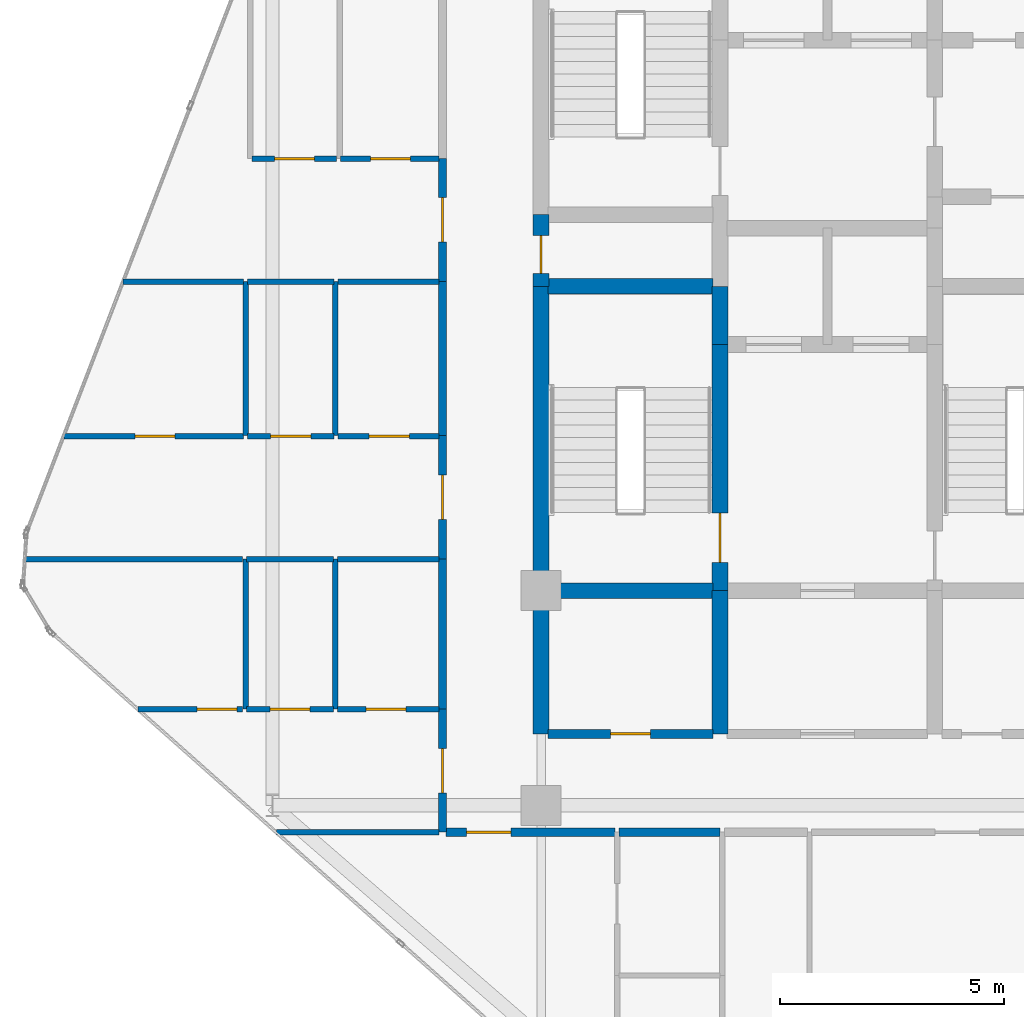
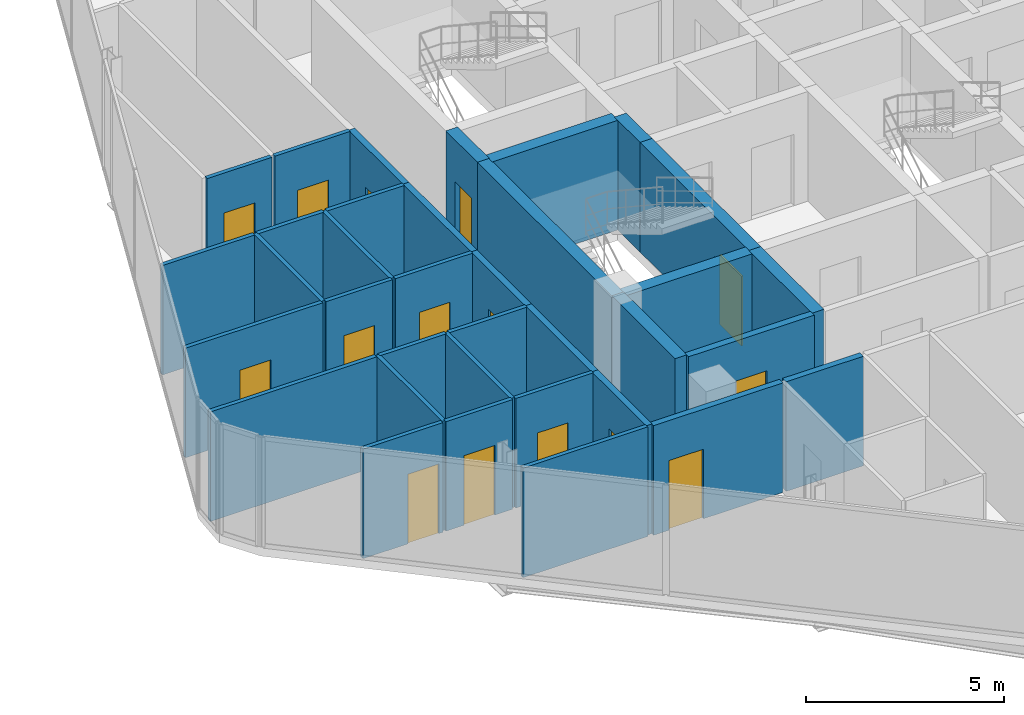
# One storey, part 25 of 31: 35 walls, 15 doors, 15 openings.
"""IFC4 building model written with IfcOpenShell, lengths in metres."""

import ifcopenshell
import ifcopenshell.guid

model = None  # the IFC model being written
_history = None  # IfcOwnerHistory: only IFC2X3 demands one
_inside = {}  # id of a spatial element -> (the spatial element, [elements in it])
_under = {}  # id of a project, library or spatial element -> (it, [spatial elements below it])
_declared = {}  # id of a project -> (the project, [libraries it declares])
_typed = {}  # id of a type object -> (the type object, [elements of that type])
_made_of = {}  # id of a material, layer set ... -> (it, [elements and type objects made of it])


def new_model(schema):
    """Start an empty IFC model of exactly this schema.

    Asked for "IFC4X3", IfcOpenShell would pick the latest addendum, in which some entities
    have other attributes; the version numbers below select the first issue.
    IFC2X3 requires an IfcOwnerHistory on every rooted entity: one is made here for all.
    """
    global model, _history
    if schema == "IFC4X3":
        model = ifcopenshell.file(schema_version=(4, 3, 0, 0))
    else:
        model = ifcopenshell.file(schema=schema)
    _inside.clear()
    _under.clear()
    _declared.clear()
    _typed.clear()
    _made_of.clear()
    _history = None
    if model.schema == "IFC2X3":
        org = make("IfcOrganization", Name="unknown")
        user = make(
            "IfcPersonAndOrganization",
            ThePerson=make("IfcPerson", FamilyName="unknown"),
            TheOrganization=org,
        )
        app = make(
            "IfcApplication",
            ApplicationDeveloper=org,
            Version="unknown",
            ApplicationFullName="unknown",
            ApplicationIdentifier="unknown",
        )
        _history = make(
            "IfcOwnerHistory",
            OwningUser=user,
            OwningApplication=app,
            ChangeAction="ADDED",
            CreationDate=0,
        )
    return model


def make(cls, **values):
    """One entity of the class cls with the attributes given. An attribute that is None is left unset."""
    return model.create_entity(
        cls, **{name: value for name, value in values.items() if value is not None}
    )


def rooted(cls, **values):
    """An entity with a GlobalId (a new one), such as an element, a storey or a relation."""
    return make(cls, GlobalId=ifcopenshell.guid.new(), OwnerHistory=_history, **values)


def si_unit(unit_type, name, prefix=None):
    """IfcSIUnit, for example si_unit("LENGTHUNIT", "METRE", prefix="MILLI")."""
    return make("IfcSIUnit", UnitType=unit_type, Prefix=prefix, Name=name)


def assignment(units):
    """IfcUnitAssignment: the units of a project."""
    return None if units is None else make("IfcUnitAssignment", Units=units)


def point(xyz):
    """IfcCartesianPoint."""
    return None if xyz is None else make("IfcCartesianPoint", Coordinates=xyz)


def direction(xyz):
    """IfcDirection."""
    return None if xyz is None else make("IfcDirection", DirectionRatios=xyz)


def frame(location, z_axis=None, x_axis=None):
    """IfcAxis2Placement3D, a coordinate frame: its origin and axes. An axis left out is left unset."""
    return make(
        "IfcAxis2Placement3D",
        Location=point(location),
        Axis=direction(z_axis),
        RefDirection=direction(x_axis),
    )


def frame_2d(location, x_axis=None):
    """IfcAxis2Placement2D, a coordinate frame in the plane: its origin and x axis."""
    return make(
        "IfcAxis2Placement2D", Location=point(location), RefDirection=direction(x_axis)
    )


def origin():
    """The frame at (0, 0, 0) with its axes left unset."""
    return frame((0.0, 0.0, 0.0))


def place(relative_to, where):
    """IfcLocalPlacement: puts the frame where relative to a parent placement (None: the world)."""
    return make(
        "IfcLocalPlacement", PlacementRelTo=relative_to, RelativePlacement=where
    )


def context(
    kind, dimensions, precision=None, world=None, true_north=None, identifier=None
):
    """IfcGeometricRepresentationContext, for example the 3D "Model" context."""
    return make(
        "IfcGeometricRepresentationContext",
        ContextIdentifier=identifier,
        ContextType=kind,
        CoordinateSpaceDimension=dimensions,
        Precision=precision,
        WorldCoordinateSystem=world,
        TrueNorth=true_north,
    )


def subcontext(parent, identifier, kind, view, scale=None):
    """IfcGeometricRepresentationSubContext, for example "Body" below "Model"."""
    return make(
        "IfcGeometricRepresentationSubContext",
        ContextIdentifier=identifier,
        ContextType=kind,
        ParentContext=parent,
        TargetScale=scale,
        TargetView=view,
    )


def project(units=None, contexts=None):
    """IfcProject with its units and contexts."""
    return rooted(
        "IfcProject",
        Name="project",
        RepresentationContexts=contexts,
        UnitsInContext=assignment(units),
    )


def spatial(cls, under=None, at=None, **own):
    """A site, building, storey or space (cls), placed at a placement, below another one or the project."""
    s = rooted(cls, ObjectPlacement=at, **own)
    if under is not None:
        _under.setdefault(under.id(), (under, []))[1].append(s)
    return s


def profile(cls, at=None, kind="AREA", **sizes):
    """A parametric profile (cls). Its sizes go by their IFC names, for example OverallWidth=200.0."""
    return make(cls, ProfileType=kind, Position=at, **sizes)


def rectangle(**sizes):
    """IfcRectangleProfileDef."""
    return profile("IfcRectangleProfileDef", **sizes)


def extrude(swept, where, along, depth):
    """IfcExtrudedAreaSolid: the profile swept, set in the frame where, extruded along a direction by depth."""
    return make(
        "IfcExtrudedAreaSolid",
        SweptArea=swept,
        Position=where,
        ExtrudedDirection=direction(along),
        Depth=depth,
    )


def shape(context_of_items, identifier, shape_type, items):
    """IfcShapeRepresentation: the items that make up one representation, for example the "Body"."""
    return make(
        "IfcShapeRepresentation",
        ContextOfItems=context_of_items,
        RepresentationIdentifier=identifier,
        RepresentationType=shape_type,
        Items=items,
    )


def material(Name=None, Category=None):
    """IfcMaterial."""
    return make("IfcMaterial", Name=Name, Category=Category)


def layer(
    of_material, thickness, ventilated=None, Name=None, Category=None, Priority=None
):
    """IfcMaterialLayer: one layer of a wall or slab, of a material (None: an air gap)."""
    return make(
        "IfcMaterialLayer",
        Material=of_material,
        LayerThickness=thickness,
        IsVentilated=ventilated,
        Name=Name,
        Category=Category,
        Priority=Priority,
    )


def layer_set(layers, Name=None):
    """IfcMaterialLayerSet."""
    return make("IfcMaterialLayerSet", MaterialLayers=layers, LayerSetName=Name)


def made_of(thing, what):
    """Note that an element or type object is made of a material, layer set ...; save() writes the relation."""
    if what is not None:
        _made_of.setdefault(what.id(), (what, []))[1].append(thing)
    return thing


def type_object(cls, material=None, **own):
    """A type object (cls), such as IfcWallType, which elements share."""
    return made_of(rooted(cls, **own), material)


def element(
    cls,
    number,
    at=None,
    inside=None,
    cuts=None,
    type_object=None,
    material=None,
    context=None,
    identifier="Body",
    shape_type=None,
    held_by="IfcProductDefinitionShape",
    body=None,
    shapes=None,
    **own,
):
    """One element of the class cls, such as IfcWall. Its Tag is "e" and its number.

    at: its placement. inside: the storey or other place that contains it. cuts: it is an
    opening in that element (IfcRelVoidsElement). A single representation is given by context,
    identifier, shape_type and body (its items); several are given by shapes. held_by: the class
    of the entity that holds the representations. save() writes the other relations.
    """
    e = rooted(cls, Tag="e%d" % number, ObjectPlacement=at, **own)
    if body is not None:
        shapes = [shape(context, identifier, shape_type, body)]
    if shapes is not None:
        e.Representation = make(held_by, Representations=shapes)
    if inside is not None:
        _inside.setdefault(inside.id(), (inside, []))[1].append(e)
    if cuts is not None:
        rooted(
            "IfcRelVoidsElement", RelatingBuildingElement=cuts, RelatedOpeningElement=e
        )
    if type_object is not None:
        _typed.setdefault(type_object.id(), (type_object, []))[1].append(e)
    return made_of(e, material)


def fill(opening, filler):
    """IfcRelFillsElement: the door or window that sits in an opening."""
    return rooted(
        "IfcRelFillsElement",
        RelatingOpeningElement=opening,
        RelatedBuildingElement=filler,
    )


def aggregate(whole, parts):
    """IfcRelAggregates: a whole, such as a stair, and the parts it consists of."""
    return rooted("IfcRelAggregates", RelatingObject=whole, RelatedObjects=parts)


def save(model, path):
    """Write the relations noted so far, then the file.

    IfcRelAggregates (storeys below a building ...), IfcRelContainedInSpatialStructure (elements
    in a storey), IfcRelDefinesByType, IfcRelAssociatesMaterial and IfcRelDeclares: one each for
    every whole, place, type object, material and project.
    """
    for whole, parts in _under.values():
        aggregate(whole, parts)
    for where, things in _inside.values():
        rooted(
            "IfcRelContainedInSpatialStructure",
            RelatedElements=things,
            RelatingStructure=where,
        )
    for kind, things in _typed.values():
        rooted("IfcRelDefinesByType", RelatedObjects=things, RelatingType=kind)
    for what, things in _made_of.values():
        rooted("IfcRelAssociatesMaterial", RelatedObjects=things, RelatingMaterial=what)
    for by, libraries in _declared.values():
        rooted("IfcRelDeclares", RelatingContext=by, RelatedDefinitions=libraries)
    model.write(path)


model = new_model("IFC4")

# Units and contexts
model_context = context("Model", 3, precision=1e-05, world=origin(), true_north=direction((0.0, 1.0)))
body_context = subcontext(model_context, "Body", "Model", "MODEL_VIEW")
ifc_project = project(units=[si_unit("LENGTHUNIT", "METRE"), si_unit("AREAUNIT", "SQUARE_METRE"), si_unit("VOLUMEUNIT", "CUBIC_METRE"), si_unit("PLANEANGLEUNIT", "RADIAN"), si_unit("MASSUNIT", "GRAM", prefix="KILO")], contexts=[model_context])

# Site, building, storey
site_placement = place(None, origin())
site = spatial("IfcSite", under=ifc_project, at=site_placement, CompositionType="ELEMENT")
building_placement = place(site_placement, origin())
building = spatial("IfcBuilding", under=site, at=building_placement, Name="Keshet Zoharim Tower", CompositionType="ELEMENT")
storey_placement = place(building_placement, frame((0.0, 0.0, 129.800048828125)))
storey = spatial("IfcBuildingStorey", under=building, at=storey_placement, Name="L31", CompositionType="ELEMENT", Elevation=129.800048828125)

# Walls
ifc_material_1 = material(Name="Concrete C60/75", Category="concrete")
ifc_layer_1 = layer(ifc_material_1, 0.35009765625)
ifc_layer_set_1 = layer_set([ifc_layer_1], Name="Concrete C60/75")
wall_type_1 = type_object("IfcWallType", Name="WL-CORE-350", PredefinedType="SHEAR", material=ifc_layer_set_1)
wall_1_placement = place(storey_placement, frame((15.0, 19.5, 0.0), z_axis=(0.0, 0.0, 1.0), x_axis=(0.0, 1.0, 0.0)))
element("IfcWall", 1, at=wall_1_placement, inside=storey, type_object=wall_type_1, Name="L31 Core Shear Wall 015", PredefinedType="SHEAR", context=body_context, shape_type="SweptSolid", body=[
    extrude(rectangle(XDim=3.199951171875, YDim=0.35009765625, at=frame_2d((1.60009765625, 0.0))), origin(), (0.0, 0.0, 1.0), 3.385009765625),
])
wall_2_placement = place(storey_placement, frame((15.0, 22.699951171875, 0.0), z_axis=(0.0, 0.0, 1.0), x_axis=(0.0, 1.0, 0.0)))
element("IfcWall", 2, at=wall_2_placement, inside=storey, type_object=wall_type_1, Name="L31 Core Shear Wall 016", PredefinedType="SHEAR", context=body_context, shape_type="SweptSolid", body=[
    extrude(rectangle(XDim=6.800048828125, YDim=0.35009765625, at=frame_2d((3.39990234375, 0.0))), origin(), (0.0, 0.0, 1.0), 3.385009765625),
])

# Wall, opening, door
wall_3_placement = place(storey_placement, frame((15.0, 29.5, 0.0), z_axis=(0.0, 0.0, 1.0), x_axis=(0.0, 1.0, 0.0)))
wall_3 = element("IfcWall", 3, at=wall_3_placement, inside=storey, type_object=wall_type_1, Name="L31 Core Shear Wall 017", PredefinedType="SHEAR", context=body_context, shape_type="SweptSolid", body=[
    extrude(rectangle(XDim=1.60009765625, YDim=0.35009765625, at=frame_2d((0.800048828125, 0.0))), origin(), (0.0, 0.0, 1.0), 3.385009765625),
])
opening_1_placement = place(wall_3_placement, frame((0.287109375, 0.0, 0.0)))
opening_1 = element("IfcOpeningElement", 4, at=opening_1_placement, cuts=wall_3, Name="Opening D-RS85", PredefinedType="OPENING", context=body_context, shape_type="SweptSolid", body=[
    extrude(rectangle(XDim=0.85009765625, YDim=2.10009765625, at=frame_2d((0.425048828125, 1.050048828125))), frame((0.0, 0.18505859375, 0.0), z_axis=(0.0, -1.0, 0.0), x_axis=(1.0, 0.0, 0.0)), (0.0, 0.0, 1.0), 0.3701171875),
])
ifc_material_2 = material(Name="Hardwood Timber", Category="wood")
door_type_1 = type_object("IfcDoorType", Name="DR-RIS-085", OperationType="NOTDEFINED", PredefinedType="DOOR", material=ifc_material_2)
door_1_placement = place(opening_1_placement, origin())
door_1 = element("IfcDoor", 5, at=door_1_placement, inside=storey, type_object=door_type_1, Name="L31 Electrical Riser Access Cupboard Door", OperationType="SINGLE_SWING_RIGHT", OverallHeight=2.10009765625, OverallWidth=0.85009765625, PredefinedType="DOOR", context=body_context, shape_type="SweptSolid", body=[
    extrude(rectangle(XDim=0.85009765625, YDim=2.10009765625, at=frame_2d((0.425048828125, 1.050048828125))), frame((0.0, 0.02490234375, 0.0), z_axis=(0.0, -1.0, 0.0), x_axis=(1.0, 0.0, 0.0)), (0.0, 0.0, 1.0), 0.050048828125),
])
fill(opening_1, door_1)

# Wall
wall_4_placement = place(storey_placement, frame((19.0, 19.5, 0.0), z_axis=(0.0, 0.0, 1.0), x_axis=(0.0, 1.0, 0.0)))
element("IfcWall", 6, at=wall_4_placement, inside=storey, type_object=wall_type_1, Name="L31 Core Shear Wall 023", PredefinedType="SHEAR", context=body_context, shape_type="SweptSolid", body=[
    extrude(rectangle(XDim=3.199951171875, YDim=0.35009765625, at=frame_2d((1.60009765625, 0.0))), origin(), (0.0, 0.0, 1.0), 3.385009765625),
])

# Wall, opening, door
wall_5_placement = place(storey_placement, frame((19.0, 22.699951171875, 0.0), z_axis=(0.0, 0.0, 1.0), x_axis=(0.0, 1.0, 0.0)))
wall_5 = element("IfcWall", 7, at=wall_5_placement, inside=storey, type_object=wall_type_1, Name="L31 Core Shear Wall 024", PredefinedType="SHEAR", context=body_context, shape_type="SweptSolid", body=[
    extrude(rectangle(XDim=5.5, YDim=0.35009765625, at=frame_2d((2.75, 0.0))), origin(), (0.0, 0.0, 1.0), 3.385009765625),
])
opening_2_placement = place(wall_5_placement, frame((0.631103515625, 0.0, 0.0)))
opening_2 = element("IfcOpeningElement", 8, at=opening_2_placement, cuts=wall_5, Name="Opening D-F611", PredefinedType="OPENING", context=body_context, shape_type="SweptSolid", body=[
    extrude(rectangle(XDim=1.10009765625, YDim=2.14990234375, at=frame_2d((0.550048828125, 1.074951171875))), frame((0.0, 0.18505859375, 0.0), z_axis=(0.0, -1.0, 0.0), x_axis=(1.0, 0.0, 0.0)), (0.0, 0.0, 1.0), 0.3701171875),
])
door_type_2 = type_object("IfcDoorType", Name="DR-FD60-110", OperationType="NOTDEFINED", PredefinedType="DOOR", material=ifc_material_2)
door_2_placement = place(opening_2_placement, origin())
door_2 = element("IfcDoor", 9, at=door_2_placement, inside=storey, type_object=door_type_2, Name="L31 Exit Stair ST-01 Fire Door", OperationType="SINGLE_SWING_RIGHT", OverallHeight=2.14990234375, OverallWidth=1.10009765625, PredefinedType="DOOR", context=body_context, shape_type="SweptSolid", body=[
    extrude(rectangle(XDim=1.10009765625, YDim=2.14990234375, at=frame_2d((0.550048828125, 1.074951171875))), frame((0.0, 0.02490234375, 0.0), z_axis=(0.0, -1.0, 0.0), x_axis=(1.0, 0.0, 0.0)), (0.0, 0.0, 1.0), 0.050048828125),
])
fill(opening_2, door_2)

# Walls
wall_6_placement = place(storey_placement, frame((19.0, 28.199951171875, 0.0), z_axis=(0.0, 0.0, 1.0), x_axis=(0.0, 1.0, 0.0)))
element("IfcWall", 10, at=wall_6_placement, inside=storey, type_object=wall_type_1, Name="L31 Core Shear Wall 025", PredefinedType="SHEAR", context=body_context, shape_type="SweptSolid", body=[
    extrude(rectangle(XDim=1.300048828125, YDim=0.35009765625, at=frame_2d((0.64990234375, 0.0))), origin(), (0.0, 0.0, 1.0), 3.385009765625),
])
for number, where, z_axis, x_axis, name in (
    (11, (15.159912109375, 22.699951171875, 0.0), (0.0, 0.0, 1.0), (1.0, 0.0, 0.0), "L31 Core Shear Wall 142"),
    (12, (15.159912109375, 29.5, 0.0), (0.0, 0.0, 1.0), (1.0, 0.0, 0.0), "L31 Core Shear Wall 160"),
):
    element("IfcWall", number, at=place(storey_placement, frame(where, z_axis=z_axis, x_axis=x_axis)), inside=storey, type_object=wall_type_1, Name=name, PredefinedType="SHEAR", context=body_context, shape_type="SweptSolid", body=[
        extrude(rectangle(XDim=3.68017578125, YDim=0.35009765625, at=frame_2d((1.840087890625, 0.0))), origin(), (0.0, 0.0, 1.0), 3.385009765625),
    ])

# Wall, opening, door
ifc_material_3 = material(Name="Gypsum Plasterboard", Category="gypsum")
ifc_layer_2 = layer(ifc_material_3, 0.179931640625)
ifc_layer_set_2 = layer_set([ifc_layer_2], Name="Gypsum Plasterboard")
wall_type_2 = type_object("IfcWallType", Name="WL-CORR-180", PredefinedType="STANDARD", material=ifc_layer_set_2)
wall_7_placement = place(storey_placement, frame((12.800048828125, 17.300048828125, 0.0), z_axis=(0.0, 0.0, 1.0), x_axis=(0.0, 1.0, 0.0)))
wall_7 = element("IfcWall", 13, at=wall_7_placement, inside=storey, type_object=wall_type_2, Name="L31 Interior Wall 007", PredefinedType="STANDARD", context=body_context, shape_type="SweptSolid", body=[
    extrude(rectangle(XDim=2.75, YDim=0.179931640625, at=frame_2d((1.375, 0.0))), origin(), (0.0, 0.0, 1.0), 3.385009765625),
])
opening_3_placement = place(wall_7_placement, frame((0.875, 0.0, 0.0)))
opening_3 = element("IfcOpeningElement", 14, at=opening_3_placement, cuts=wall_7, Name="Opening D-F310", PredefinedType="OPENING", context=body_context, shape_type="SweptSolid", body=[
    extrude(rectangle(XDim=1.0, YDim=2.14990234375, at=frame_2d((0.5, 1.074951171875))), frame((0.0, 0.10009765625, 0.0), z_axis=(0.0, -1.0, 0.0), x_axis=(1.0, 0.0, 0.0)), (0.0, 0.0, 1.0), 0.199951171875),
])
door_type_3 = type_object("IfcDoorType", Name="DR-FD30-100", OperationType="NOTDEFINED", PredefinedType="DOOR", material=ifc_material_2)
door_3_placement = place(opening_3_placement, origin())
door_3 = element("IfcDoor", 15, at=door_3_placement, inside=storey, type_object=door_type_3, Name="Apartment 3108 Entrance Door", OperationType="SINGLE_SWING_LEFT", OverallHeight=2.14990234375, OverallWidth=1.0, PredefinedType="DOOR", context=body_context, shape_type="SweptSolid", body=[
    extrude(rectangle(XDim=1.0, YDim=2.14990234375, at=frame_2d((0.5, 1.074951171875))), frame((0.0, 0.02490234375, 0.0), z_axis=(0.0, -1.0, 0.0), x_axis=(1.0, 0.0, 0.0)), (0.0, 0.0, 1.0), 0.050048828125),
])
fill(opening_3, door_3)

# Wall
wall_8_placement = place(storey_placement, frame((12.800048828125, 20.050048828125, 0.0), z_axis=(0.0, 0.0, 1.0), x_axis=(0.0, 1.0, 0.0)))
element("IfcWall", 16, at=wall_8_placement, inside=storey, type_object=wall_type_2, Name="L31 Interior Wall 008", PredefinedType="STANDARD", context=body_context, shape_type="SweptSolid", body=[
    extrude(rectangle(XDim=3.35986328125, YDim=0.179931640625, at=frame_2d((1.679931640625, 0.0))), origin(), (0.0, 0.0, 1.0), 3.385009765625),
])

# Wall, opening, door
wall_9_placement = place(storey_placement, frame((12.800048828125, 23.409912109375, 0.0), z_axis=(0.0, 0.0, 1.0), x_axis=(0.0, 1.0, 0.0)))
wall_9 = element("IfcWall", 17, at=wall_9_placement, inside=storey, type_object=wall_type_2, Name="L31 Interior Wall 009", PredefinedType="STANDARD", context=body_context, shape_type="SweptSolid", body=[
    extrude(rectangle(XDim=2.75, YDim=0.179931640625, at=frame_2d((1.375, 0.0))), origin(), (0.0, 0.0, 1.0), 3.385009765625),
])
opening_4_placement = place(wall_9_placement, frame((0.875, 0.0, 0.0)))
opening_4 = element("IfcOpeningElement", 18, at=opening_4_placement, cuts=wall_9, Name="Opening D-F310", PredefinedType="OPENING", context=body_context, shape_type="SweptSolid", body=[
    extrude(rectangle(XDim=1.0, YDim=2.14990234375, at=frame_2d((0.5, 1.074951171875))), frame((0.0, 0.10009765625, 0.0), z_axis=(0.0, -1.0, 0.0), x_axis=(1.0, 0.0, 0.0)), (0.0, 0.0, 1.0), 0.199951171875),
])
door_4_placement = place(opening_4_placement, origin())
door_4 = element("IfcDoor", 19, at=door_4_placement, inside=storey, type_object=door_type_3, Name="Apartment 3109 Entrance Door", OperationType="SINGLE_SWING_RIGHT", OverallHeight=2.14990234375, OverallWidth=1.0, PredefinedType="DOOR", context=body_context, shape_type="SweptSolid", body=[
    extrude(rectangle(XDim=1.0, YDim=2.14990234375, at=frame_2d((0.5, 1.074951171875))), frame((0.0, 0.02490234375, 0.0), z_axis=(0.0, -1.0, 0.0), x_axis=(1.0, 0.0, 0.0)), (0.0, 0.0, 1.0), 0.050048828125),
])
fill(opening_4, door_4)

# Wall
wall_10_placement = place(storey_placement, frame((12.800048828125, 26.159912109375, 0.0), z_axis=(0.0, 0.0, 1.0), x_axis=(0.0, 1.0, 0.0)))
element("IfcWall", 20, at=wall_10_placement, inside=storey, type_object=wall_type_2, Name="L31 Interior Wall 010", PredefinedType="STANDARD", context=body_context, shape_type="SweptSolid", body=[
    extrude(rectangle(XDim=3.4501953125, YDim=0.179931640625, at=frame_2d((1.72509765625, 0.0))), origin(), (0.0, 0.0, 1.0), 3.385009765625),
])

# Wall, opening, door
wall_11_placement = place(storey_placement, frame((12.800048828125, 29.610107421875, 0.0), z_axis=(0.0, 0.0, 1.0), x_axis=(0.0, 1.0, 0.0)))
wall_11 = element("IfcWall", 21, at=wall_11_placement, inside=storey, type_object=wall_type_2, Name="L31 Interior Wall 011", PredefinedType="STANDARD", context=body_context, shape_type="SweptSolid", body=[
    extrude(rectangle(XDim=2.75, YDim=0.179931640625, at=frame_2d((1.375, 0.0))), origin(), (0.0, 0.0, 1.0), 3.385009765625),
])
opening_5_placement = place(wall_11_placement, frame((0.875, 0.0, 0.0)))
opening_5 = element("IfcOpeningElement", 22, at=opening_5_placement, cuts=wall_11, Name="Opening D-F310", PredefinedType="OPENING", context=body_context, shape_type="SweptSolid", body=[
    extrude(rectangle(XDim=1.0, YDim=2.14990234375, at=frame_2d((0.5, 1.074951171875))), frame((0.0, 0.10009765625, 0.0), z_axis=(0.0, -1.0, 0.0), x_axis=(1.0, 0.0, 0.0)), (0.0, 0.0, 1.0), 0.199951171875),
])
door_5_placement = place(opening_5_placement, origin())
door_5 = element("IfcDoor", 23, at=door_5_placement, inside=storey, type_object=door_type_3, Name="Apartment 3110 Entrance Door", OperationType="SINGLE_SWING_LEFT", OverallHeight=2.14990234375, OverallWidth=1.0, PredefinedType="DOOR", context=body_context, shape_type="SweptSolid", body=[
    extrude(rectangle(XDim=1.0, YDim=2.14990234375, at=frame_2d((0.5, 1.074951171875))), frame((0.0, 0.02490234375, 0.0), z_axis=(0.0, -1.0, 0.0), x_axis=(1.0, 0.0, 0.0)), (0.0, 0.0, 1.0), 0.050048828125),
])
fill(opening_5, door_5)

wall_12_placement = place(storey_placement, frame((12.875, 17.300048828125, 0.0), z_axis=(0.0, 0.0, 1.0), x_axis=(1.0, 0.0, 0.0)))
wall_12 = element("IfcWall", 24, at=wall_12_placement, inside=storey, type_object=wall_type_2, Name="L31 Interior Wall 122", PredefinedType="STANDARD", context=body_context, shape_type="SweptSolid", body=[
    extrude(rectangle(XDim=3.780029296875, YDim=0.179931640625, at=frame_2d((1.89013671875, 0.0))), origin(), (0.0, 0.0, 1.0), 3.385009765625),
])
opening_6_placement = place(wall_12_placement, frame((0.4580078125, 0.0, 0.0)))
opening_6 = element("IfcOpeningElement", 25, at=opening_6_placement, cuts=wall_12, Name="Opening D-F310", PredefinedType="OPENING", context=body_context, shape_type="SweptSolid", body=[
    extrude(rectangle(XDim=1.0, YDim=2.14990234375, at=frame_2d((0.5, 1.074951171875))), frame((0.0, 0.10009765625, 0.0), z_axis=(0.0, -1.0, 0.0), x_axis=(1.0, 0.0, 0.0)), (0.0, 0.0, 1.0), 0.199951171875),
])
door_6_placement = place(opening_6_placement, origin())
door_6 = element("IfcDoor", 26, at=door_6_placement, inside=storey, type_object=door_type_3, Name="Apartment 3101 Entrance Door", OperationType="SINGLE_SWING_LEFT", OverallHeight=2.14990234375, OverallWidth=1.0, PredefinedType="DOOR", context=body_context, shape_type="SweptSolid", body=[
    extrude(rectangle(XDim=1.0, YDim=2.14990234375, at=frame_2d((0.5, 1.074951171875))), frame((0.0, 0.02490234375, 0.0), z_axis=(0.0, -1.0, 0.0), x_axis=(1.0, 0.0, 0.0)), (0.0, 0.0, 1.0), 0.050048828125),
])
fill(opening_6, door_6)

# Wall
wall_13_placement = place(storey_placement, frame((16.7451171875, 17.300048828125, 0.0), z_axis=(0.0, 0.0, 1.0), x_axis=(1.0, 0.0, 0.0)))
element("IfcWall", 27, at=wall_13_placement, inside=storey, type_object=wall_type_2, Name="L31 Interior Wall 123", PredefinedType="STANDARD", context=body_context, shape_type="SweptSolid", body=[
    extrude(rectangle(XDim=2.259765625, YDim=0.179931640625, at=frame_2d((1.1298828125, 0.0))), origin(), (0.0, 0.0, 1.0), 3.385009765625),
])

# Wall, opening, door
ifc_material_4 = material(Name="Concrete C50/60", Category="concrete")
ifc_layer_3 = layer(ifc_material_4, 0.199951171875)
ifc_layer_set_3 = layer_set([ifc_layer_3], Name="Concrete C50/60")
wall_type_3 = type_object("IfcWallType", Name="WL-FIRE-200", PredefinedType="STANDARD", material=ifc_layer_set_3)
wall_14_placement = place(storey_placement, frame((15.159912109375, 19.5, 0.0), z_axis=(0.0, 0.0, 1.0), x_axis=(1.0, 0.0, 0.0)))
wall_14 = element("IfcWall", 28, at=wall_14_placement, inside=storey, type_object=wall_type_3, Name="L31 Interior Wall 134", PredefinedType="STANDARD", context=body_context, shape_type="SweptSolid", body=[
    extrude(rectangle(XDim=3.68017578125, YDim=0.199951171875, at=frame_2d((1.840087890625, 0.0))), origin(), (0.0, 0.0, 1.0), 3.385009765625),
])
opening_7_placement = place(wall_14_placement, frame((1.389892578125, 0.0, 0.0)))
opening_7 = element("IfcOpeningElement", 29, at=opening_7_placement, cuts=wall_14, Name="Opening D-F690", PredefinedType="OPENING", context=body_context, shape_type="SweptSolid", body=[
    extrude(rectangle(XDim=0.89990234375, YDim=2.14990234375, at=frame_2d((0.449951171875, 1.074951171875))), frame((0.0, 0.10986328125, 0.0), z_axis=(0.0, -1.0, 0.0), x_axis=(1.0, 0.0, 0.0)), (0.0, 0.0, 1.0), 0.219970703125),
])
door_type_4 = type_object("IfcDoorType", Name="DR-FD60-090", OperationType="NOTDEFINED", PredefinedType="DOOR", material=ifc_material_2)
door_7_placement = place(opening_7_placement, origin())
door_7 = element("IfcDoor", 30, at=door_7_placement, inside=storey, type_object=door_type_4, Name="L31 Refuse Room Door", OperationType="SINGLE_SWING_RIGHT", OverallHeight=2.14990234375, OverallWidth=0.89990234375, PredefinedType="DOOR", context=body_context, shape_type="SweptSolid", body=[
    extrude(rectangle(XDim=0.89990234375, YDim=2.14990234375, at=frame_2d((0.449951171875, 1.074951171875))), frame((0.0, 0.02490234375, 0.0), z_axis=(0.0, -1.0, 0.0), x_axis=(1.0, 0.0, 0.0)), (0.0, 0.0, 1.0), 0.050048828125),
])
fill(opening_7, door_7)

# Walls
ifc_layer_4 = layer(ifc_material_3, 0.1201171875)
ifc_layer_set_4 = layer_set([ifc_layer_4], Name="Gypsum Plasterboard")
wall_type_4 = type_object("IfcWallType", Name="WL-PART-120", PredefinedType="PARTITIONING", material=ifc_layer_set_4)
wall_15_placement = place(storey_placement, frame((8.39990234375, 20.050048828125, 0.0), z_axis=(0.0, 0.0, 1.0), x_axis=(0.0, 1.0, 0.0)))
element("IfcWall", 31, at=wall_15_placement, inside=storey, type_object=wall_type_4, Name="L31 Interior Wall 001", PredefinedType="PARTITIONING", context=body_context, shape_type="SweptSolid", body=[
    extrude(rectangle(XDim=3.35986328125, YDim=0.1201171875, at=frame_2d((1.679931640625, 0.0))), origin(), (0.0, 0.0, 1.0), 3.385009765625),
])
wall_16_placement = place(storey_placement, frame((8.39990234375, 26.159912109375, 0.0), z_axis=(0.0, 0.0, 1.0), x_axis=(0.0, 1.0, 0.0)))
element("IfcWall", 32, at=wall_16_placement, inside=storey, type_object=wall_type_4, Name="L31 Interior Wall 002", PredefinedType="PARTITIONING", context=body_context, shape_type="SweptSolid", body=[
    extrude(rectangle(XDim=3.4501953125, YDim=0.1201171875, at=frame_2d((1.72509765625, 0.0))), origin(), (0.0, 0.0, 1.0), 3.385009765625),
])
wall_17_placement = place(storey_placement, frame((9.0849609375, 17.300048828125, 0.0), z_axis=(0.0, 0.0, 1.0), x_axis=(1.0, 0.0, 0.0)))
element("IfcWall", 33, at=wall_17_placement, inside=storey, type_object=wall_type_4, Name="L31 Interior Wall 121", PredefinedType="PARTITIONING", context=body_context, shape_type="SweptSolid", body=[
    extrude(rectangle(XDim=3.64013671875, YDim=0.1201171875, at=frame_2d((1.820068359375, 0.0))), origin(), (0.0, 0.0, 1.0), 3.385009765625),
])

# Wall, opening, door
wall_18_placement = place(storey_placement, frame((5.990966796875, 20.050048828125, 0.0), z_axis=(0.0, 0.0, 1.0), x_axis=(1.0, 0.0, 0.0)))
wall_18 = element("IfcWall", 34, at=wall_18_placement, inside=storey, type_object=wall_type_4, Name="L31 Interior Wall 139", PredefinedType="PARTITIONING", context=body_context, shape_type="SweptSolid", body=[
    extrude(rectangle(XDim=2.340087890625, YDim=0.1201171875, at=frame_2d((1.169921875, 0.0))), origin(), (0.0, 0.0, 1.0), 3.385009765625),
])
opening_8_placement = place(wall_18_placement, frame((1.320068359375, 0.0, 0.0)))
opening_8 = element("IfcOpeningElement", 35, at=opening_8_placement, cuts=wall_18, Name="Opening D-IN90", PredefinedType="OPENING", context=body_context, shape_type="SweptSolid", body=[
    extrude(rectangle(XDim=0.89990234375, YDim=2.14990234375, at=frame_2d((0.449951171875, 1.074951171875))), frame((0.0, 0.070068359375, 0.0), z_axis=(0.0, -1.0, 0.0), x_axis=(1.0, 0.0, 0.0)), (0.0, 0.0, 1.0), 0.14013671875),
])
door_type_5 = type_object("IfcDoorType", Name="DR-INT-090", OperationType="NOTDEFINED", PredefinedType="DOOR", material=ifc_material_2)
door_8_placement = place(opening_8_placement, origin())
door_8 = element("IfcDoor", 36, at=door_8_placement, inside=storey, type_object=door_type_5, Name="Apartment 3108 Bedroom 1 Door", OperationType="SINGLE_SWING_LEFT", OverallHeight=2.14990234375, OverallWidth=0.89990234375, PredefinedType="DOOR", context=body_context, shape_type="SweptSolid", body=[
    extrude(rectangle(XDim=0.89990234375, YDim=2.14990234375, at=frame_2d((0.449951171875, 1.074951171875))), frame((0.0, 0.02490234375, 0.0), z_axis=(0.0, -1.0, 0.0), x_axis=(1.0, 0.0, 0.0)), (0.0, 0.0, 1.0), 0.050048828125),
])
fill(opening_8, door_8)

wall_19_placement = place(storey_placement, frame((8.4208984375, 20.050048828125, 0.0), z_axis=(0.0, 0.0, 1.0), x_axis=(1.0, 0.0, 0.0)))
wall_19 = element("IfcWall", 37, at=wall_19_placement, inside=storey, type_object=wall_type_4, Name="L31 Interior Wall 140", PredefinedType="PARTITIONING", context=body_context, shape_type="SweptSolid", body=[
    extrude(rectangle(XDim=1.945068359375, YDim=0.1201171875, at=frame_2d((0.97265625, 0.0))), origin(), (0.0, 0.0, 1.0), 3.385009765625),
])
opening_9_placement = place(wall_19_placement, frame((0.52197265625, 0.0, 0.0)))
opening_9 = element("IfcOpeningElement", 38, at=opening_9_placement, cuts=wall_19, Name="Opening D-IN90", PredefinedType="OPENING", context=body_context, shape_type="SweptSolid", body=[
    extrude(rectangle(XDim=0.89990234375, YDim=2.14990234375, at=frame_2d((0.449951171875, 1.074951171875))), frame((0.0, 0.070068359375, 0.0), z_axis=(0.0, -1.0, 0.0), x_axis=(1.0, 0.0, 0.0)), (0.0, 0.0, 1.0), 0.14013671875),
])
door_9_placement = place(opening_9_placement, origin())
door_9 = element("IfcDoor", 39, at=door_9_placement, inside=storey, type_object=door_type_5, Name="Apartment 3108 Kitchen Door", OperationType="SINGLE_SWING_RIGHT", OverallHeight=2.14990234375, OverallWidth=0.89990234375, PredefinedType="DOOR", context=body_context, shape_type="SweptSolid", body=[
    extrude(rectangle(XDim=0.89990234375, YDim=2.14990234375, at=frame_2d((0.449951171875, 1.074951171875))), frame((0.0, 0.02490234375, 0.0), z_axis=(0.0, -1.0, 0.0), x_axis=(1.0, 0.0, 0.0)), (0.0, 0.0, 1.0), 0.050048828125),
])
fill(opening_9, door_9)

# Walls
wall_20_placement = place(storey_placement, frame((3.468994140625, 23.39990234375, 0.0), z_axis=(0.0, 0.0, 1.0), x_axis=(1.0, 0.0, 0.0)))
element("IfcWall", 40, at=wall_20_placement, inside=storey, type_object=wall_type_4, Name="L31 Interior Wall 147", PredefinedType="PARTITIONING", context=body_context, shape_type="SweptSolid", body=[
    extrude(rectangle(XDim=4.862060546875, YDim=0.1201171875, at=frame_2d((2.43115234375, 0.0))), origin(), (0.0, 0.0, 1.0), 3.385009765625),
])
wall_21_placement = place(storey_placement, frame((8.4208984375, 23.39990234375, 0.0), z_axis=(0.0, 0.0, 1.0), x_axis=(1.0, 0.0, 0.0)))
element("IfcWall", 41, at=wall_21_placement, inside=storey, type_object=wall_type_4, Name="L31 Interior Wall 148", PredefinedType="PARTITIONING", context=body_context, shape_type="SweptSolid", body=[
    extrude(rectangle(XDim=1.945068359375, YDim=0.1201171875, at=frame_2d((0.97265625, 0.0))), origin(), (0.0, 0.0, 1.0), 3.385009765625),
])

# Wall, opening, door
wall_22_placement = place(storey_placement, frame((4.3369140625, 26.14990234375, 0.0), z_axis=(0.0, 0.0, 1.0), x_axis=(1.0, 0.0, 0.0)))
wall_22 = element("IfcWall", 42, at=wall_22_placement, inside=storey, type_object=wall_type_4, Name="L31 Interior Wall 152", PredefinedType="PARTITIONING", context=body_context, shape_type="SweptSolid", body=[
    extrude(rectangle(XDim=4.01220703125, YDim=0.1201171875, at=frame_2d((2.006103515625, 0.0))), origin(), (0.0, 0.0, 1.0), 3.385009765625),
])
opening_10_placement = place(wall_22_placement, frame((1.5859375, 0.0, 0.0)))
opening_10 = element("IfcOpeningElement", 43, at=opening_10_placement, cuts=wall_22, Name="Opening D-IN90", PredefinedType="OPENING", context=body_context, shape_type="SweptSolid", body=[
    extrude(rectangle(XDim=0.89990234375, YDim=2.14990234375, at=frame_2d((0.449951171875, 1.074951171875))), frame((0.0, 0.070068359375, 0.0), z_axis=(0.0, -1.0, 0.0), x_axis=(1.0, 0.0, 0.0)), (0.0, 0.0, 1.0), 0.14013671875),
])
door_10_placement = place(opening_10_placement, origin())
door_10 = element("IfcDoor", 44, at=door_10_placement, inside=storey, type_object=door_type_5, Name="Apartment 3109 Bedroom 1 Door", OperationType="SINGLE_SWING_LEFT", OverallHeight=2.14990234375, OverallWidth=0.89990234375, PredefinedType="DOOR", context=body_context, shape_type="SweptSolid", body=[
    extrude(rectangle(XDim=0.89990234375, YDim=2.14990234375, at=frame_2d((0.449951171875, 1.074951171875))), frame((0.0, 0.02490234375, 0.0), z_axis=(0.0, -1.0, 0.0), x_axis=(1.0, 0.0, 0.0)), (0.0, 0.0, 1.0), 0.050048828125),
])
fill(opening_10, door_10)

wall_23_placement = place(storey_placement, frame((8.43896484375, 26.14990234375, 0.0), z_axis=(0.0, 0.0, 1.0), x_axis=(1.0, 0.0, 0.0)))
wall_23 = element("IfcWall", 45, at=wall_23_placement, inside=storey, type_object=wall_type_4, Name="L31 Interior Wall 153", PredefinedType="PARTITIONING", context=body_context, shape_type="SweptSolid", body=[
    extrude(rectangle(XDim=1.93701171875, YDim=0.1201171875, at=frame_2d((0.968505859375, 0.0))), origin(), (0.0, 0.0, 1.0), 3.385009765625),
])
opening_11_placement = place(wall_23_placement, frame((0.51806640625, 0.0, 0.0)))
opening_11 = element("IfcOpeningElement", 46, at=opening_11_placement, cuts=wall_23, Name="Opening D-IN90", PredefinedType="OPENING", context=body_context, shape_type="SweptSolid", body=[
    extrude(rectangle(XDim=0.89990234375, YDim=2.14990234375, at=frame_2d((0.449951171875, 1.074951171875))), frame((0.0, 0.070068359375, 0.0), z_axis=(0.0, -1.0, 0.0), x_axis=(1.0, 0.0, 0.0)), (0.0, 0.0, 1.0), 0.14013671875),
])
door_11_placement = place(opening_11_placement, origin())
door_11 = element("IfcDoor", 47, at=door_11_placement, inside=storey, type_object=door_type_5, Name="Apartment 3109 Kitchen Door", OperationType="SINGLE_SWING_RIGHT", OverallHeight=2.14990234375, OverallWidth=0.89990234375, PredefinedType="DOOR", context=body_context, shape_type="SweptSolid", body=[
    extrude(rectangle(XDim=0.89990234375, YDim=2.14990234375, at=frame_2d((0.449951171875, 1.074951171875))), frame((0.0, 0.02490234375, 0.0), z_axis=(0.0, -1.0, 0.0), x_axis=(1.0, 0.0, 0.0)), (0.0, 0.0, 1.0), 0.050048828125),
])
fill(opening_11, door_11)

# Walls
wall_24_placement = place(storey_placement, frame((5.6640625, 29.60009765625, 0.0), z_axis=(0.0, 0.0, 1.0), x_axis=(1.0, 0.0, 0.0)))
element("IfcWall", 48, at=wall_24_placement, inside=storey, type_object=wall_type_4, Name="L31 Interior Wall 162", PredefinedType="PARTITIONING", context=body_context, shape_type="SweptSolid", body=[
    extrude(rectangle(XDim=2.68505859375, YDim=0.1201171875, at=frame_2d((1.342529296875, 0.0))), origin(), (0.0, 0.0, 1.0), 3.385009765625),
])
wall_25_placement = place(storey_placement, frame((8.43896484375, 29.60009765625, 0.0), z_axis=(0.0, 0.0, 1.0), x_axis=(1.0, 0.0, 0.0)))
element("IfcWall", 49, at=wall_25_placement, inside=storey, type_object=wall_type_4, Name="L31 Interior Wall 163", PredefinedType="PARTITIONING", context=body_context, shape_type="SweptSolid", body=[
    extrude(rectangle(XDim=1.93701171875, YDim=0.1201171875, at=frame_2d((0.968505859375, 0.0))), origin(), (0.0, 0.0, 1.0), 3.385009765625),
])

# Wall, opening, door
wall_26_placement = place(storey_placement, frame((8.544921875, 32.35009765625, 0.0), z_axis=(0.0, 0.0, 1.0), x_axis=(1.0, 0.0, 0.0)))
wall_26 = element("IfcWall", 50, at=wall_26_placement, inside=storey, type_object=wall_type_4, Name="L31 Interior Wall 169", PredefinedType="PARTITIONING", context=body_context, shape_type="SweptSolid", body=[
    extrude(rectangle(XDim=1.88818359375, YDim=0.1201171875, at=frame_2d((0.944091796875, 0.0))), origin(), (0.0, 0.0, 1.0), 3.385009765625),
])
opening_12_placement = place(wall_26_placement, frame((0.493896484375, 0.0, 0.0)))
opening_12 = element("IfcOpeningElement", 51, at=opening_12_placement, cuts=wall_26, Name="Opening D-IN90", PredefinedType="OPENING", context=body_context, shape_type="SweptSolid", body=[
    extrude(rectangle(XDim=0.89990234375, YDim=2.14990234375, at=frame_2d((0.449951171875, 1.074951171875))), frame((0.0, 0.070068359375, 0.0), z_axis=(0.0, -1.0, 0.0), x_axis=(1.0, 0.0, 0.0)), (0.0, 0.0, 1.0), 0.14013671875),
])
door_12_placement = place(opening_12_placement, origin())
door_12 = element("IfcDoor", 52, at=door_12_placement, inside=storey, type_object=door_type_5, Name="Apartment 3110 Kitchen Door", OperationType="SINGLE_SWING_RIGHT", OverallHeight=2.14990234375, OverallWidth=0.89990234375, PredefinedType="DOOR", context=body_context, shape_type="SweptSolid", body=[
    extrude(rectangle(XDim=0.89990234375, YDim=2.14990234375, at=frame_2d((0.449951171875, 1.074951171875))), frame((0.0, 0.02490234375, 0.0), z_axis=(0.0, -1.0, 0.0), x_axis=(1.0, 0.0, 0.0)), (0.0, 0.0, 1.0), 0.050048828125),
])
fill(opening_12, door_12)

# Walls
ifc_layer_5 = layer(ifc_material_3, 0.1201171875)
ifc_layer_set_5 = layer_set([ifc_layer_5], Name="Gypsum Plasterboard")
wall_type_5 = type_object("IfcWallType", Name="WL-WET-120", PredefinedType="PARTITIONING", material=ifc_layer_set_5)
wall_27_placement = place(storey_placement, frame((10.39990234375, 20.050048828125, 0.0), z_axis=(0.0, 0.0, 1.0), x_axis=(0.0, 1.0, 0.0)))
element("IfcWall", 53, at=wall_27_placement, inside=storey, type_object=wall_type_5, Name="L31 Interior Wall 004", PredefinedType="PARTITIONING", context=body_context, shape_type="SweptSolid", body=[
    extrude(rectangle(XDim=3.35986328125, YDim=0.1201171875, at=frame_2d((1.679931640625, 0.0))), origin(), (0.0, 0.0, 1.0), 3.385009765625),
])
wall_28_placement = place(storey_placement, frame((10.39990234375, 26.159912109375, 0.0), z_axis=(0.0, 0.0, 1.0), x_axis=(0.0, 1.0, 0.0)))
element("IfcWall", 54, at=wall_28_placement, inside=storey, type_object=wall_type_5, Name="L31 Interior Wall 005", PredefinedType="PARTITIONING", context=body_context, shape_type="SweptSolid", body=[
    extrude(rectangle(XDim=3.4501953125, YDim=0.1201171875, at=frame_2d((1.72509765625, 0.0))), origin(), (0.0, 0.0, 1.0), 3.385009765625),
])

# Wall, opening, door
wall_29_placement = place(storey_placement, frame((10.4560546875, 20.050048828125, 0.0), z_axis=(0.0, 0.0, 1.0), x_axis=(1.0, 0.0, 0.0)))
wall_29 = element("IfcWall", 55, at=wall_29_placement, inside=storey, type_object=wall_type_5, Name="L31 Interior Wall 141", PredefinedType="PARTITIONING", context=body_context, shape_type="SweptSolid", body=[
    extrude(rectangle(XDim=2.26904296875, YDim=0.1201171875, at=frame_2d((1.134521484375, 0.0))), origin(), (0.0, 0.0, 1.0), 3.385009765625),
])
opening_13_placement = place(wall_29_placement, frame((0.62890625, 0.0, 0.0)))
opening_13 = element("IfcOpeningElement", 56, at=opening_13_placement, cuts=wall_29, Name="Opening D-WT90", PredefinedType="OPENING", context=body_context, shape_type="SweptSolid", body=[
    extrude(rectangle(XDim=0.89990234375, YDim=2.10009765625, at=frame_2d((0.449951171875, 1.050048828125))), frame((0.0, 0.070068359375, 0.0), z_axis=(0.0, -1.0, 0.0), x_axis=(1.0, 0.0, 0.0)), (0.0, 0.0, 1.0), 0.14013671875),
])
door_type_6 = type_object("IfcDoorType", Name="DR-WET-090", OperationType="NOTDEFINED", PredefinedType="DOOR", material=ifc_material_2)
door_13_placement = place(opening_13_placement, origin())
door_13 = element("IfcDoor", 57, at=door_13_placement, inside=storey, type_object=door_type_6, Name="Apartment 3108 Bathroom Door", OperationType="SINGLE_SWING_LEFT", OverallHeight=2.10009765625, OverallWidth=0.89990234375, PredefinedType="DOOR", context=body_context, shape_type="SweptSolid", body=[
    extrude(rectangle(XDim=0.89990234375, YDim=2.10009765625, at=frame_2d((0.449951171875, 1.050048828125))), frame((0.0, 0.02490234375, 0.0), z_axis=(0.0, -1.0, 0.0), x_axis=(1.0, 0.0, 0.0)), (0.0, 0.0, 1.0), 0.050048828125),
])
fill(opening_13, door_13)

# Wall
wall_30_placement = place(storey_placement, frame((10.4560546875, 23.39990234375, 0.0), z_axis=(0.0, 0.0, 1.0), x_axis=(1.0, 0.0, 0.0)))
element("IfcWall", 58, at=wall_30_placement, inside=storey, type_object=wall_type_5, Name="L31 Interior Wall 149", PredefinedType="PARTITIONING", context=body_context, shape_type="SweptSolid", body=[
    extrude(rectangle(XDim=2.26904296875, YDim=0.1201171875, at=frame_2d((1.134521484375, 0.0))), origin(), (0.0, 0.0, 1.0), 3.385009765625),
])

# Wall, opening, door
wall_31_placement = place(storey_placement, frame((10.466064453125, 26.14990234375, 0.0), z_axis=(0.0, 0.0, 1.0), x_axis=(1.0, 0.0, 0.0)))
wall_31 = element("IfcWall", 59, at=wall_31_placement, inside=storey, type_object=wall_type_5, Name="L31 Interior Wall 154", PredefinedType="PARTITIONING", context=body_context, shape_type="SweptSolid", body=[
    extrude(rectangle(XDim=2.259033203125, YDim=0.1201171875, at=frame_2d((1.12939453125, 0.0))), origin(), (0.0, 0.0, 1.0), 3.385009765625),
])
opening_14_placement = place(wall_31_placement, frame((0.695068359375, 0.0, 0.0)))
opening_14 = element("IfcOpeningElement", 60, at=opening_14_placement, cuts=wall_31, Name="Opening D-WT90", PredefinedType="OPENING", context=body_context, shape_type="SweptSolid", body=[
    extrude(rectangle(XDim=0.89990234375, YDim=2.10009765625, at=frame_2d((0.449951171875, 1.050048828125))), frame((0.0, 0.070068359375, 0.0), z_axis=(0.0, -1.0, 0.0), x_axis=(1.0, 0.0, 0.0)), (0.0, 0.0, 1.0), 0.14013671875),
])
door_14_placement = place(opening_14_placement, origin())
door_14 = element("IfcDoor", 61, at=door_14_placement, inside=storey, type_object=door_type_6, Name="Apartment 3109 Bathroom Door", OperationType="SINGLE_SWING_LEFT", OverallHeight=2.10009765625, OverallWidth=0.89990234375, PredefinedType="DOOR", context=body_context, shape_type="SweptSolid", body=[
    extrude(rectangle(XDim=0.89990234375, YDim=2.10009765625, at=frame_2d((0.449951171875, 1.050048828125))), frame((0.0, 0.02490234375, 0.0), z_axis=(0.0, -1.0, 0.0), x_axis=(1.0, 0.0, 0.0)), (0.0, 0.0, 1.0), 0.050048828125),
])
fill(opening_14, door_14)

# Wall
wall_32_placement = place(storey_placement, frame((10.466064453125, 29.60009765625, 0.0), z_axis=(0.0, 0.0, 1.0), x_axis=(1.0, 0.0, 0.0)))
element("IfcWall", 62, at=wall_32_placement, inside=storey, type_object=wall_type_5, Name="L31 Interior Wall 164", PredefinedType="PARTITIONING", context=body_context, shape_type="SweptSolid", body=[
    extrude(rectangle(XDim=2.259033203125, YDim=0.1201171875, at=frame_2d((1.12939453125, 0.0))), origin(), (0.0, 0.0, 1.0), 3.385009765625),
])

# Wall, opening, door
wall_33_placement = place(storey_placement, frame((10.52294921875, 32.35009765625, 0.0), z_axis=(0.0, 0.0, 1.0), x_axis=(1.0, 0.0, 0.0)))
wall_33 = element("IfcWall", 63, at=wall_33_placement, inside=storey, type_object=wall_type_5, Name="L31 Interior Wall 170", PredefinedType="PARTITIONING", context=body_context, shape_type="SweptSolid", body=[
    extrude(rectangle(XDim=2.2021484375, YDim=0.1201171875, at=frame_2d((1.10107421875, 0.0))), origin(), (0.0, 0.0, 1.0), 3.385009765625),
])
opening_15_placement = place(wall_33_placement, frame((0.666015625, 0.0, 0.0)))
opening_15 = element("IfcOpeningElement", 64, at=opening_15_placement, cuts=wall_33, Name="Opening D-WT90", PredefinedType="OPENING", context=body_context, shape_type="SweptSolid", body=[
    extrude(rectangle(XDim=0.89990234375, YDim=2.10009765625, at=frame_2d((0.449951171875, 1.050048828125))), frame((0.0, 0.070068359375, 0.0), z_axis=(0.0, -1.0, 0.0), x_axis=(1.0, 0.0, 0.0)), (0.0, 0.0, 1.0), 0.14013671875),
])
door_15_placement = place(opening_15_placement, origin())
door_15 = element("IfcDoor", 65, at=door_15_placement, inside=storey, type_object=door_type_6, Name="Apartment 3110 Bathroom Door", OperationType="SINGLE_SWING_LEFT", OverallHeight=2.10009765625, OverallWidth=0.89990234375, PredefinedType="DOOR", context=body_context, shape_type="SweptSolid", body=[
    extrude(rectangle(XDim=0.89990234375, YDim=2.10009765625, at=frame_2d((0.449951171875, 1.050048828125))), frame((0.0, 0.02490234375, 0.0), z_axis=(0.0, -1.0, 0.0), x_axis=(1.0, 0.0, 0.0)), (0.0, 0.0, 1.0), 0.050048828125),
])
fill(opening_15, door_15)

save(model, "model.ifc")
